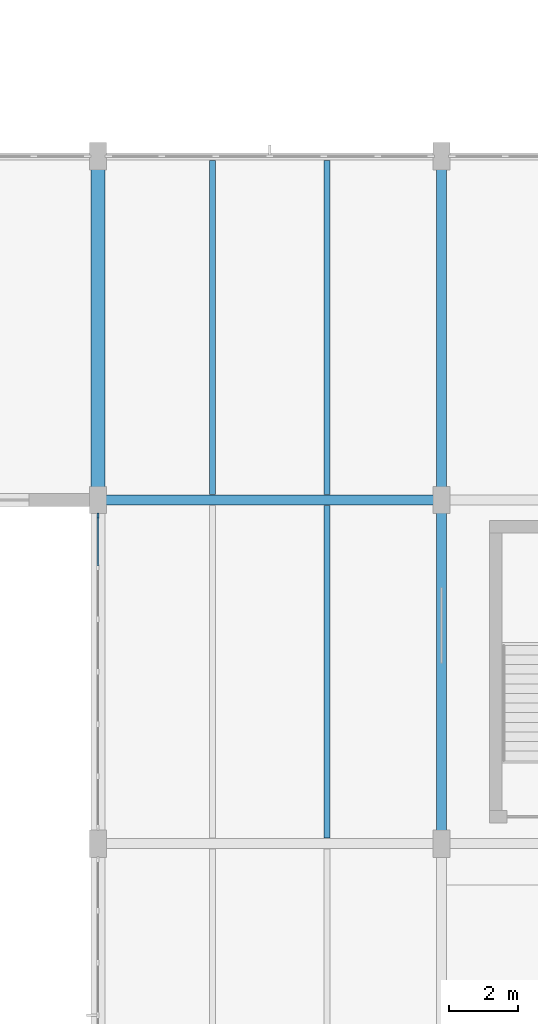
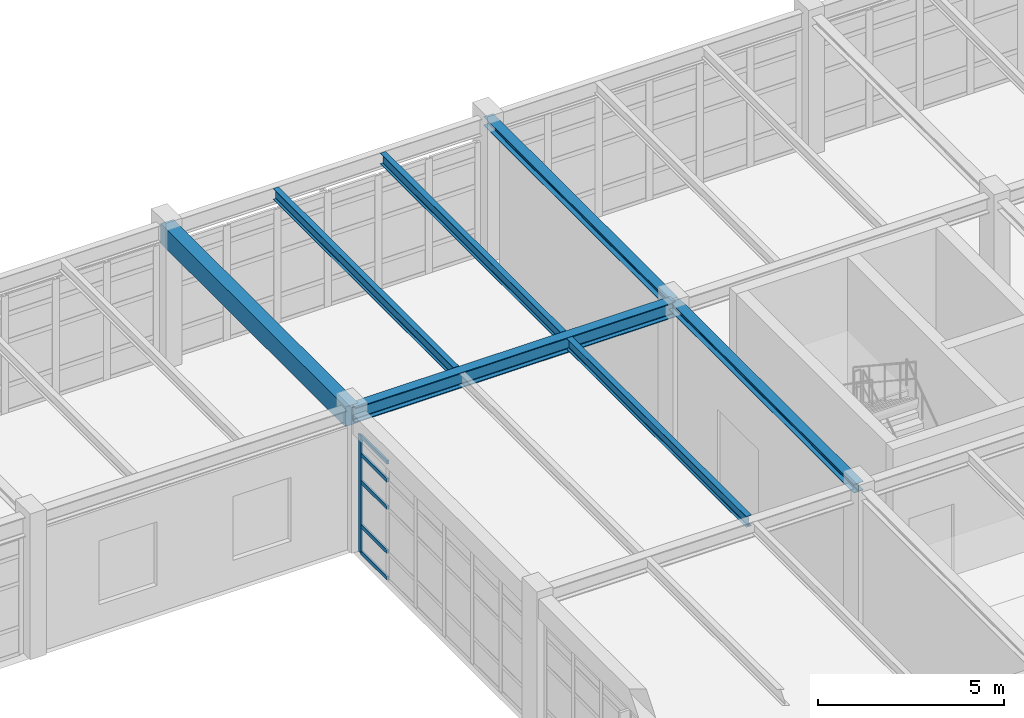
# One storey, part 73 of 139: 7 beams, 6 members, 1 element without a shape of its own.
"""IFC4 building model written with IfcOpenShell, lengths in metres."""

from ifc_helpers import new_model, si_unit, direction, frame, origin, origin_2d, place, context, subcontext, project, spatial, rectangle, i_section, extrude, material, layer, layer_set, material_profile, profile_set, type_object, element, aggregate, save


model = new_model("IFC4")

# Units and contexts
model_context = context("Model", 3, precision=1e-05, world=origin(), true_north=direction((0.0, 1.0)))
body_context = subcontext(model_context, "Body", "Model", "MODEL_VIEW")
ifc_project = project(units=[si_unit("LENGTHUNIT", "METRE"), si_unit("AREAUNIT", "SQUARE_METRE"), si_unit("VOLUMEUNIT", "CUBIC_METRE"), si_unit("PLANEANGLEUNIT", "RADIAN"), si_unit("MASSUNIT", "GRAM", prefix="KILO"), si_unit("THERMODYNAMICTEMPERATUREUNIT", "KELVIN"), si_unit("POWERUNIT", "WATT")], contexts=[model_context])

# Site, building, storey
site_placement = place(None, origin())
site = spatial("IfcSite", under=ifc_project, at=site_placement, CompositionType="ELEMENT")
building_placement = place(site_placement, origin())
building = spatial("IfcBuilding", under=site, at=building_placement, Name="Korenveer Ferry Terminal", CompositionType="ELEMENT")
storey_placement = place(building_placement, frame((0.0, 0.0, 5.39990234375)))
storey = spatial("IfcBuildingStorey", under=building, at=storey_placement, Name="L01", CompositionType="ELEMENT", Elevation=5.39990234375)

# Curtain wall, members
ifc_material_1 = material(Name="Unitised bronze-and-glass curtain wall", Category="glass")
ifc_layer = layer(ifc_material_1, 0.159912109375)
ifc_layer_set = layer_set([ifc_layer], Name="Unitised bronze-and-glass curtain wall")
curtain_wall_type = type_object("IfcCurtainWallType", Name="ENV-CW-79", PredefinedType="USERDEFINED", material=ifc_layer_set)
curtain_wall_placement = place(storey_placement, frame((146.0, 60.429931640625, 0.0)))
curtain_wall = element("IfcCurtainWall", 1, at=curtain_wall_placement, inside=storey, type_object=curtain_wall_type, Name="Lancet curtain wall CWX-L01-X146-146-Y60-70", ObjectType="UNITISED CURTAIN WALL", PredefinedType="USERDEFINED")
ifc_material_2 = material(Name="Anodised bronze aluminium", Category="aluminium")
ifc_material_profile_1 = material_profile(ifc_material_2, rectangle(XDim=0.06005859375, YDim=0.159912109375, at=origin_2d()), Name="ALU 60x160")
ifc_profile_set_1 = profile_set([ifc_material_profile_1], Name="Anodised bronze aluminium")
member_type_1 = type_object("IfcMemberType", Name="ENV-CWM-60X160", PredefinedType="MULLION", material=ifc_profile_set_1)
member_1_placement = place(storey_placement, frame((146.0, 69.5400390625, 0.0), z_axis=(0.0, 0.0, 1.0), x_axis=(-1.0, 0.0, 0.0)))
member_1 = element("IfcMember", 2, at=member_1_placement, type_object=member_type_1, Name="CW-79 mullion 7", PredefinedType="MULLION", context=body_context, shape_type="SweptSolid", body=[
    extrude(rectangle(XDim=0.06005859375, YDim=0.159912109375, at=origin_2d()), origin(), (0.0, 0.0, 1.0), 3.8701171875),
])
ifc_material_profile_2 = material_profile(ifc_material_2, rectangle(XDim=0.06005859375, YDim=0.1201171875, at=origin_2d()), Name="ALU 60x120")
ifc_profile_set_2 = profile_set([ifc_material_profile_2], Name="Anodised bronze aluminium")
member_type_2 = type_object("IfcMemberType", Name="ENV-CWT-60X120", PredefinedType="USERDEFINED", material=ifc_profile_set_2)
member_2_placement = place(storey_placement, frame((146.0, 68.07666015625, 0.030029296875), z_axis=(0.0, 1.0, 0.0), x_axis=(-1.0, 0.0, 0.0)))
member_2 = element("IfcMember", 3, at=member_2_placement, type_object=member_type_2, Name="CW-79 transom 6.1", ObjectType="TRANSOM", PredefinedType="USERDEFINED", context=body_context, shape_type="SweptSolid", body=[
    extrude(rectangle(XDim=0.06005859375, YDim=0.1201171875, at=origin_2d()), origin(), (0.0, 0.0, 1.0), 1.433349609375),
])
member_3_placement = place(storey_placement, frame((146.0, 68.07666015625, 0.900146484375), z_axis=(0.0, 1.0, 0.0), x_axis=(-1.0, 0.0, 0.0)))
member_3 = element("IfcMember", 4, at=member_3_placement, type_object=member_type_2, Name="CW-79 transom 6.2", ObjectType="TRANSOM", PredefinedType="USERDEFINED", context=body_context, shape_type="SweptSolid", body=[
    extrude(rectangle(XDim=0.06005859375, YDim=0.1201171875, at=origin_2d()), origin(), (0.0, 0.0, 1.0), 1.433349609375),
])
member_4_placement = place(storey_placement, frame((146.0, 68.07666015625, 2.35009765625), z_axis=(0.0, 1.0, 0.0), x_axis=(-1.0, 0.0, 0.0)))
member_4 = element("IfcMember", 5, at=member_4_placement, type_object=member_type_2, Name="CW-79 transom 6.3", ObjectType="TRANSOM", PredefinedType="USERDEFINED", context=body_context, shape_type="SweptSolid", body=[
    extrude(rectangle(XDim=0.06005859375, YDim=0.1201171875, at=origin_2d()), origin(), (0.0, 0.0, 1.0), 1.433349609375),
])
member_5_placement = place(storey_placement, frame((146.0, 68.07666015625, 3.25), z_axis=(0.0, 1.0, 0.0), x_axis=(-1.0, 0.0, 0.0)))
member_5 = element("IfcMember", 6, at=member_5_placement, type_object=member_type_2, Name="CW-79 transom 6.4", ObjectType="TRANSOM", PredefinedType="USERDEFINED", context=body_context, shape_type="SweptSolid", body=[
    extrude(rectangle(XDim=0.06005859375, YDim=0.1201171875, at=origin_2d()), origin(), (0.0, 0.0, 1.0), 1.433349609375),
])
member_6_placement = place(storey_placement, frame((146.0, 68.07666015625, 3.840087890625), z_axis=(0.0, 1.0, 0.0), x_axis=(-1.0, 0.0, 0.0)))
member_6 = element("IfcMember", 7, at=member_6_placement, type_object=member_type_2, Name="CW-79 transom 6.5", ObjectType="TRANSOM", PredefinedType="USERDEFINED", context=body_context, shape_type="SweptSolid", body=[
    extrude(rectangle(XDim=0.06005859375, YDim=0.1201171875, at=origin_2d()), origin(), (0.0, 0.0, 1.0), 1.433349609375),
])
aggregate(curtain_wall, [member_1, member_2, member_3, member_4, member_5, member_6])

# Beams
ifc_material_3 = material(Name="Steel S355", Category="steel")
ifc_material_profile_3 = material_profile(ifc_material_3, i_section(OverallWidth=0.300048828125, OverallDepth=0.2900390625, WebThickness=0.008544921875, FlangeThickness=0.013916015625, FilletRadius=0.027099609375, at=origin_2d()), Name="HEA 300")
ifc_profile_set_3 = profile_set([ifc_material_profile_3], Name="Steel S355")
beam_type_1 = type_object("IfcBeamType", Name="STR-BM-HEA300", PredefinedType="BEAM", material=ifc_profile_set_3)
for number, where, z_axis, x_axis, name in (
    (8, (156.0, 60.02001953125, 4.405029296875), (0.0, 1.0, 0.0), (-1.0, 0.0, 0.0), "Primary Y girder BMY-L02-X156-Y60-70"),
    (9, (156.0, 70.02001953125, 4.405029296875), (0.0, 1.0, 0.0), (-1.0, 0.0, 0.0), "Primary Y girder BMY-L02-X156-Y70-80"),
):
    element("IfcBeam", number, at=place(storey_placement, frame(where, z_axis=z_axis, x_axis=x_axis)), inside=storey, type_object=beam_type_1, Name=name, PredefinedType="BEAM", context=body_context, shape_type="SweptSolid", body=[
        extrude(i_section(OverallWidth=0.300048828125, OverallDepth=0.2900390625, WebThickness=0.008544921875, FlangeThickness=0.013916015625, FilletRadius=0.027099609375, at=origin_2d()), origin(), (0.0, 0.0, 1.0), 9.9599609375),
    ])
ifc_material_profile_4 = material_profile(ifc_material_3, i_section(OverallWidth=0.300048828125, OverallDepth=0.5, WebThickness=0.014404296875, FlangeThickness=0.028076171875, FilletRadius=0.027099609375, at=origin_2d()), Name="HEB 500")
ifc_profile_set_4 = profile_set([ifc_material_profile_4], Name="Steel S355")
beam_type_2 = type_object("IfcBeamType", Name="STR-BM-HEB500", PredefinedType="BEAM", material=ifc_profile_set_4)
beam_1_placement = place(storey_placement, frame((146.02001953125, 70.0, 4.300048828125), z_axis=(1.0, 0.0, 0.0), x_axis=(0.0, 1.0, 0.0)))
element("IfcBeam", 10, at=beam_1_placement, inside=storey, type_object=beam_type_2, Name="Primary X girder BMX-L02-X146-156-Y70", PredefinedType="BEAM", context=body_context, shape_type="SweptSolid", body=[
    extrude(i_section(OverallWidth=0.300048828125, OverallDepth=0.5, WebThickness=0.014404296875, FlangeThickness=0.028076171875, FilletRadius=0.027099609375, at=origin_2d()), origin(), (0.0, 0.0, 1.0), 9.9599609375),
])
ifc_material_4 = material(Name="Concrete C40/50", Category="concrete")
ifc_material_profile_5 = material_profile(ifc_material_4, rectangle(XDim=0.39990234375, YDim=0.64990234375, at=origin_2d()), Name="RC 400x650")
ifc_profile_set_5 = profile_set([ifc_material_profile_5], Name="Concrete C40/50")
beam_type_3 = type_object("IfcBeamType", Name="STR-BM-RC400X650", PredefinedType="BEAM", material=ifc_profile_set_5)
beam_2_placement = place(storey_placement, frame((146.0, 70.02001953125, 4.22509765625), z_axis=(0.0, 1.0, 0.0), x_axis=(-1.0, 0.0, 0.0)))
element("IfcBeam", 11, at=beam_2_placement, inside=storey, type_object=beam_type_3, Name="Primary Y girder BMY-L02-X146-Y70-80", PredefinedType="BEAM", context=body_context, shape_type="SweptSolid", body=[
    extrude(rectangle(XDim=0.39990234375, YDim=0.64990234375, at=origin_2d()), origin(), (0.0, 0.0, 1.0), 9.9599609375),
])
ifc_material_profile_6 = material_profile(ifc_material_3, i_section(OverallWidth=0.169921875, OverallDepth=0.360107421875, WebThickness=0.008056640625, FlangeThickness=0.0126953125, FilletRadius=0.01806640625, at=origin_2d()), Name="IPE 360")
ifc_profile_set_6 = profile_set([ifc_material_profile_6], Name="Steel S355")
beam_type_4 = type_object("IfcBeamType", Name="STR-JST-IPE360", PredefinedType="JOIST", material=ifc_profile_set_6)
beam_3_placement = place(storey_placement, frame((152.666748046875, 60.159912109375, 4.3701171875), z_axis=(0.0, 1.0, 0.0), x_axis=(-1.0, 0.0, 0.0)))
element("IfcBeam", 12, at=beam_3_placement, inside=storey, type_object=beam_type_4, Name="Secondary composite joist JST-L02-X1527-Y60-70", PredefinedType="JOIST", context=body_context, shape_type="SweptSolid", body=[
    extrude(i_section(OverallWidth=0.169921875, OverallDepth=0.360107421875, WebThickness=0.008056640625, FlangeThickness=0.0126953125, FilletRadius=0.01806640625, at=origin_2d()), origin(), (0.0, 0.0, 1.0), 9.68017578125),
])
for number, where, z_axis, x_axis, name in (
    (13, (149.333251953125, 70.159912109375, 4.3701171875), (0.0, 1.0, 0.0), (-1.0, 0.0, 0.0), "Secondary composite joist JST-L02-X1493-Y70-80"),
    (14, (152.666748046875, 70.159912109375, 4.3701171875), (0.0, 1.0, 0.0), (-1.0, 0.0, 0.0), "Secondary composite joist JST-L02-X1527-Y70-80"),
):
    element("IfcBeam", number, at=place(storey_placement, frame(where, z_axis=z_axis, x_axis=x_axis)), inside=storey, type_object=beam_type_4, Name=name, PredefinedType="JOIST", context=body_context, shape_type="SweptSolid", body=[
        extrude(i_section(OverallWidth=0.169921875, OverallDepth=0.360107421875, WebThickness=0.008056640625, FlangeThickness=0.0126953125, FilletRadius=0.01806640625, at=origin_2d()), origin(), (0.0, 0.0, 1.0), 9.72509765625),
    ])

save(model, "model.ifc")
